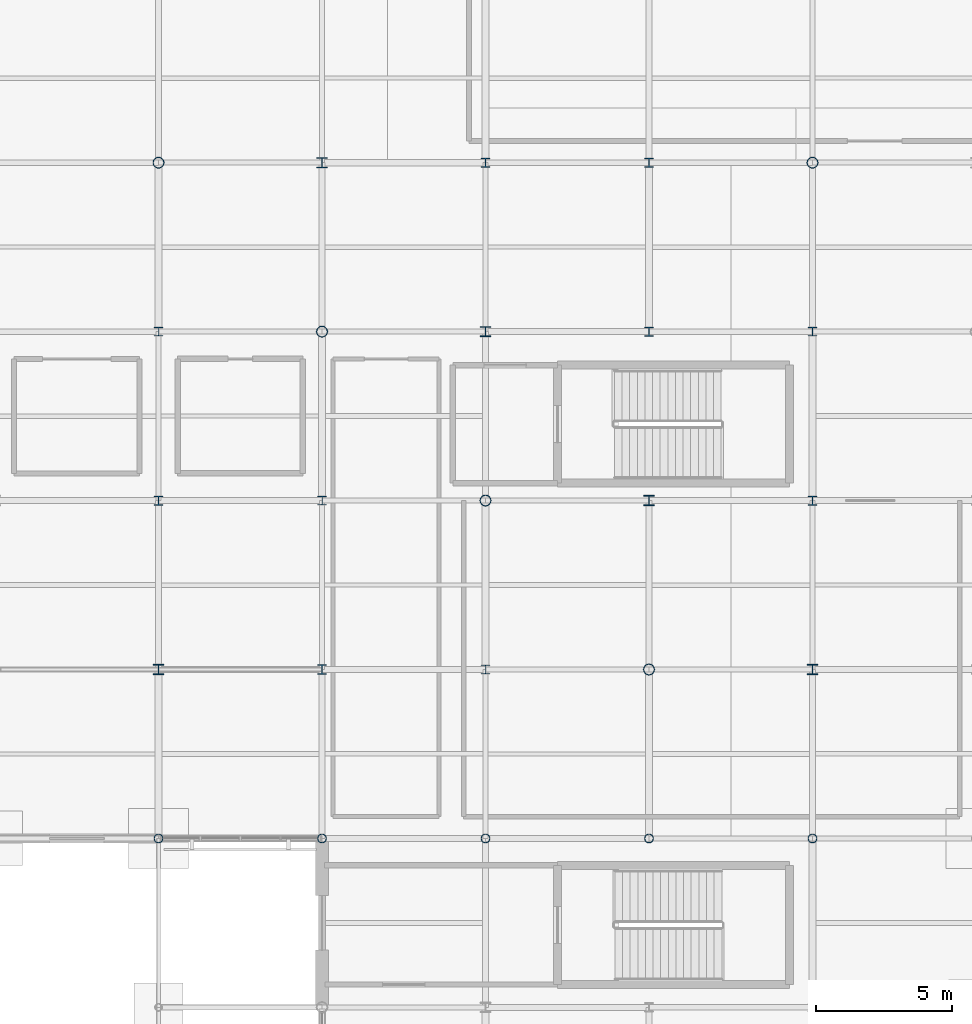
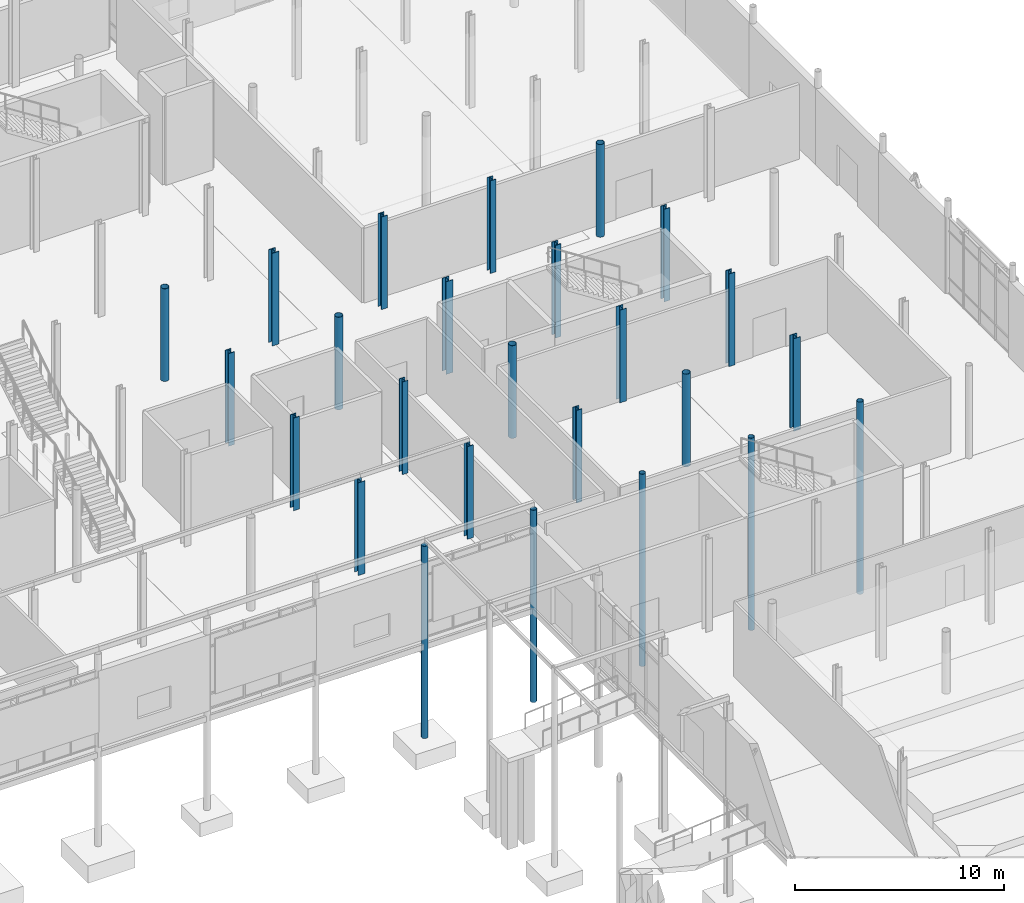
# One storey, part 23 of 98: 25 columns.
"""IFC4 building model written with IfcOpenShell, lengths in metres."""

from ifc_helpers import new_model, si_unit, direction, frame, origin, origin_2d, place, context, subcontext, project, spatial, hollow_circle, i_section, extrude, material, material_profile, profile_set, type_object, element, save


model = new_model("IFC4")

# Units and contexts
model_context = context("Model", 3, precision=1e-05, world=origin(), true_north=direction((0.0, 1.0)))
body_context = subcontext(model_context, "Body", "Model", "MODEL_VIEW")
ifc_project = project(units=[si_unit("LENGTHUNIT", "METRE"), si_unit("AREAUNIT", "SQUARE_METRE"), si_unit("VOLUMEUNIT", "CUBIC_METRE"), si_unit("PLANEANGLEUNIT", "RADIAN"), si_unit("MASSUNIT", "GRAM", prefix="KILO")], contexts=[model_context])

# Site, building, storey
site_placement = place(None, origin())
site = spatial("IfcSite", under=ifc_project, at=site_placement, CompositionType="ELEMENT")
building_placement = place(site_placement, origin())
building = spatial("IfcBuilding", under=site, at=building_placement, Name="Mirzam Square Science Centre", CompositionType="ELEMENT")
storey_placement = place(building_placement, origin())
storey = spatial("IfcBuildingStorey", under=building, at=storey_placement, Name="L00", CompositionType="ELEMENT", Elevation=0.0)

# Columns
ifc_material = material(Name="Steel S355", Category="steel")
ifc_material_profile_1 = material_profile(ifc_material, hollow_circle(Radius=0.161865234375, WallThickness=0.012451171875, at=origin_2d()), Name="323.9x12.5CHS")
ifc_profile_set_1 = profile_set([ifc_material_profile_1], Name="Steel S355")
column_type_1 = type_object("IfcColumnType", Name="COL-CHS324", PredefinedType="COLUMN", material=ifc_profile_set_1)
for number, where, z_axis, x_axis, name in (
    (1, (126.0, 37.199951171875, -5.800048828125), (0.0, 0.0, 1.0), (1.0, 0.0, 0.0), "L00 column G22-07"),
    (2, (132.0, 37.199951171875, -5.800048828125), (0.0, 0.0, 1.0), (1.0, 0.0, 0.0), "L00 column G23-07"),
    (3, (138.0, 37.199951171875, -5.800048828125), (0.0, 0.0, 1.0), (1.0, 0.0, 0.0), "L00 column G24-07"),
    (4, (144.0, 37.199951171875, -5.800048828125), (0.0, 0.0, 1.0), (1.0, 0.0, 0.0), "L00 column G25-07"),
    (5, (150.0, 37.199951171875, -5.800048828125), (0.0, 0.0, 1.0), (1.0, 0.0, 0.0), "L00 column G26-07"),
):
    element("IfcColumn", number, at=place(storey_placement, frame(where, z_axis=z_axis, x_axis=x_axis)), inside=storey, type_object=column_type_1, Name=name, PredefinedType="COLUMN", context=body_context, shape_type="SweptSolid", body=[
        extrude(hollow_circle(Radius=0.161865234375, WallThickness=0.012451171875, at=origin_2d()), origin(), (0.0, 0.0, 1.0), 11.199951171875),
    ])
ifc_material_profile_2 = material_profile(ifc_material, hollow_circle(Radius=0.203125, WallThickness=0.01611328125, at=origin_2d()), Name="406.4x16.0CHS")
ifc_profile_set_2 = profile_set([ifc_material_profile_2], Name="Steel S355")
column_type_2 = type_object("IfcColumnType", Name="COL-CHS406", PredefinedType="COLUMN", material=ifc_profile_set_2)
for number, where, z_axis, x_axis, name in (
    (6, (126.0, 62.0, 0.0), (0.0, 0.0, 1.0), (1.0, 0.0, 0.0), "L00 column G22-11"),
    (7, (132.0, 55.800048828125, 0.0), (0.0, 0.0, 1.0), (1.0, 0.0, 0.0), "L00 column G23-10"),
    (8, (138.0, 49.60009765625, 0.0), (0.0, 0.0, 1.0), (1.0, 0.0, 0.0), "L00 column G24-09"),
    (9, (144.0, 43.39990234375, 0.0), (0.0, 0.0, 1.0), (1.0, 0.0, 0.0), "L00 column G25-08"),
    (10, (150.0, 62.0, 0.0), (0.0, 0.0, 1.0), (1.0, 0.0, 0.0), "L00 column G26-11"),
):
    element("IfcColumn", number, at=place(storey_placement, frame(where, z_axis=z_axis, x_axis=x_axis)), inside=storey, type_object=column_type_2, Name=name, PredefinedType="COLUMN", context=body_context, shape_type="SweptSolid", body=[
        extrude(hollow_circle(Radius=0.203125, WallThickness=0.01611328125, at=origin_2d()), origin(), (0.0, 0.0, 1.0), 5.39990234375),
    ])
ifc_material_profile_3 = material_profile(ifc_material, i_section(OverallWidth=0.314453125, OverallDepth=0.33984375, WebThickness=0.01904296875, FlangeThickness=0.031494140625, FilletRadius=0.01513671875, at=origin_2d()), Name="305x305x198UC")
ifc_profile_set_3 = profile_set([ifc_material_profile_3], Name="Steel S355")
column_type_3 = type_object("IfcColumnType", Name="COL-UC305B", PredefinedType="COLUMN", material=ifc_profile_set_3)
for number, where, z_axis, x_axis, name in (
    (11, (126.0, 55.800048828125, 0.0), (0.0, 0.0, 1.0), (1.0, 0.0, 0.0), "L00 column G22-10"),
    (12, (132.0, 49.60009765625, 0.0), (0.0, 0.0, 1.0), (1.0, 0.0, 0.0), "L00 column G23-09"),
    (13, (138.0, 43.39990234375, 0.0), (0.0, 0.0, 1.0), (1.0, 0.0, 0.0), "L00 column G24-08"),
    (14, (144.0, 62.0, 0.0), (0.0, 0.0, 1.0), (1.0, 0.0, 0.0), "L00 column G25-11"),
    (15, (150.0, 55.800048828125, 0.0), (0.0, 0.0, 1.0), (1.0, 0.0, 0.0), "L00 column G26-10"),
):
    element("IfcColumn", number, at=place(storey_placement, frame(where, z_axis=z_axis, x_axis=x_axis)), inside=storey, type_object=column_type_3, Name=name, PredefinedType="COLUMN", context=body_context, shape_type="SweptSolid", body=[
        extrude(i_section(OverallWidth=0.314453125, OverallDepth=0.33984375, WebThickness=0.01904296875, FlangeThickness=0.031494140625, FilletRadius=0.01513671875, at=origin_2d()), origin(), (0.0, 0.0, 1.0), 5.39990234375),
    ])
ifc_material_profile_4 = material_profile(ifc_material, i_section(OverallWidth=0.318359375, OverallDepth=0.3525390625, WebThickness=0.02294921875, FlangeThickness=0.03759765625, FilletRadius=0.01513671875, at=origin_2d()), Name="305x305x240UC")
ifc_profile_set_4 = profile_set([ifc_material_profile_4], Name="Steel S355")
column_type_4 = type_object("IfcColumnType", Name="COL-UC305C", PredefinedType="COLUMN", material=ifc_profile_set_4)
for number, where, z_axis, x_axis, name in (
    (16, (126.0, 49.60009765625, 0.0), (0.0, 0.0, 1.0), (1.0, 0.0, 0.0), "L00 column G22-09"),
    (17, (132.0, 43.39990234375, 0.0), (0.0, 0.0, 1.0), (1.0, 0.0, 0.0), "L00 column G23-08"),
    (18, (138.0, 62.0, 0.0), (0.0, 0.0, 1.0), (1.0, 0.0, 0.0), "L00 column G24-11"),
    (19, (144.0, 55.800048828125, 0.0), (0.0, 0.0, 1.0), (1.0, 0.0, 0.0), "L00 column G25-10"),
    (20, (150.0, 49.60009765625, 0.0), (0.0, 0.0, 1.0), (1.0, 0.0, 0.0), "L00 column G26-09"),
):
    element("IfcColumn", number, at=place(storey_placement, frame(where, z_axis=z_axis, x_axis=x_axis)), inside=storey, type_object=column_type_4, Name=name, PredefinedType="COLUMN", context=body_context, shape_type="SweptSolid", body=[
        extrude(i_section(OverallWidth=0.318359375, OverallDepth=0.3525390625, WebThickness=0.02294921875, FlangeThickness=0.03759765625, FilletRadius=0.01513671875, at=origin_2d()), origin(), (0.0, 0.0, 1.0), 5.39990234375),
    ])
ifc_material_profile_5 = material_profile(ifc_material, i_section(OverallWidth=0.374755859375, OverallDepth=0.37451171875, WebThickness=0.0166015625, FlangeThickness=0.027099609375, FilletRadius=0.01513671875, at=origin_2d()), Name="356x368x202UC")
ifc_profile_set_5 = profile_set([ifc_material_profile_5], Name="Steel S355")
column_type_5 = type_object("IfcColumnType", Name="COL-UC356A", PredefinedType="COLUMN", material=ifc_profile_set_5)
for number, where, z_axis, x_axis, name in (
    (21, (126.0, 43.39990234375, 0.0), (0.0, 0.0, 1.0), (1.0, 0.0, 0.0), "L00 column G22-08"),
    (22, (132.0, 62.0, 0.0), (0.0, 0.0, 1.0), (1.0, 0.0, 0.0), "L00 column G23-11"),
    (23, (138.0, 55.800048828125, 0.0), (0.0, 0.0, 1.0), (1.0, 0.0, 0.0), "L00 column G24-10"),
    (24, (144.0, 49.60009765625, 0.0), (0.0, 0.0, 1.0), (1.0, 0.0, 0.0), "L00 column G25-09"),
    (25, (150.0, 43.39990234375, 0.0), (0.0, 0.0, 1.0), (1.0, 0.0, 0.0), "L00 column G26-08"),
):
    element("IfcColumn", number, at=place(storey_placement, frame(where, z_axis=z_axis, x_axis=x_axis)), inside=storey, type_object=column_type_5, Name=name, PredefinedType="COLUMN", context=body_context, shape_type="SweptSolid", body=[
        extrude(i_section(OverallWidth=0.374755859375, OverallDepth=0.37451171875, WebThickness=0.0166015625, FlangeThickness=0.027099609375, FilletRadius=0.01513671875, at=origin_2d()), origin(), (0.0, 0.0, 1.0), 5.39990234375),
    ])

save(model, "model.ifc")
